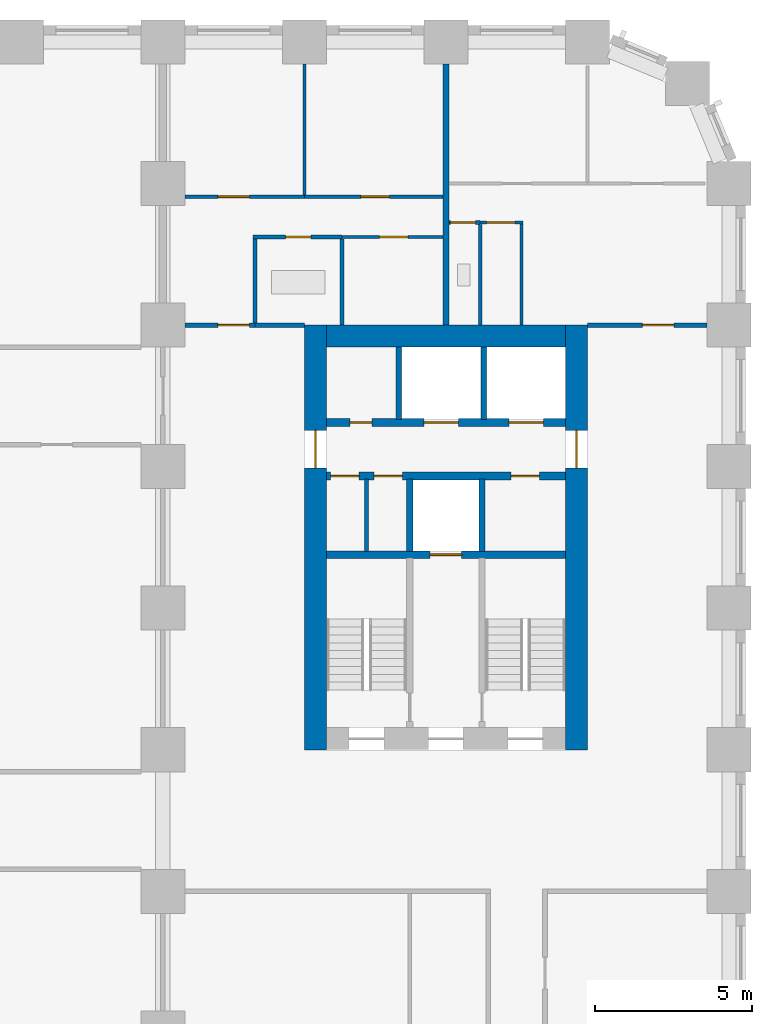
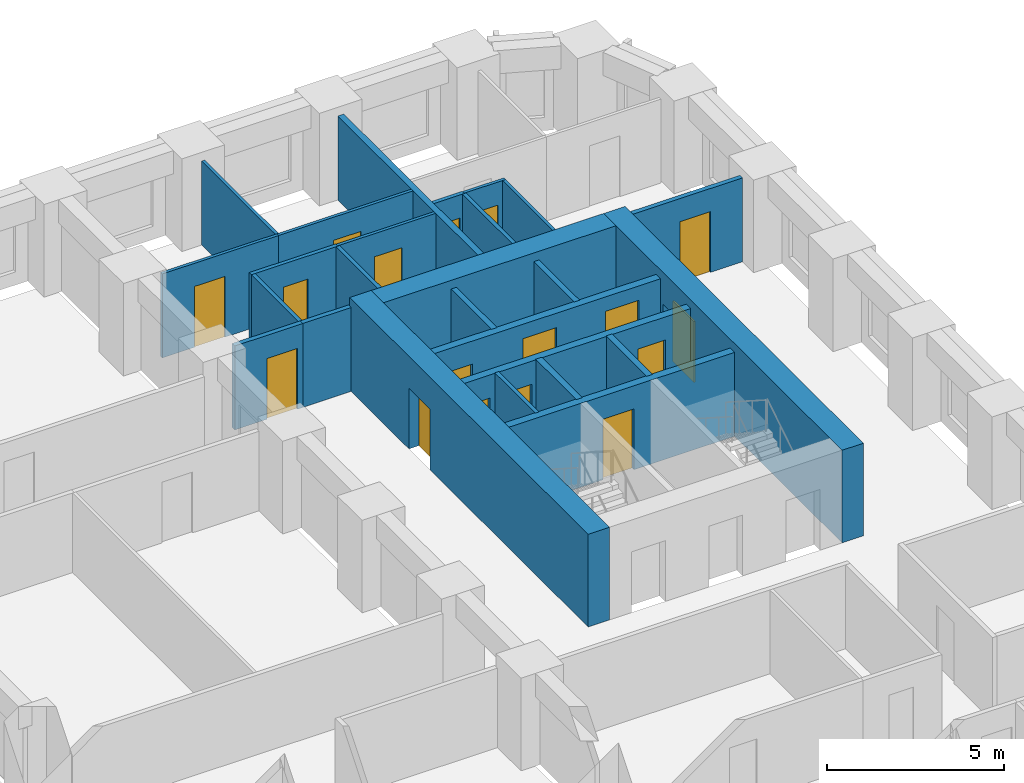
# One storey, part 8 of 12: 26 walls, 17 doors, 17 openings.
"""IFC4 building model written with IfcOpenShell, lengths in metres."""

from ifc_helpers import new_model, si_unit, direction, frame, frame_2d, origin, place, context, subcontext, project, spatial, rectangle, extrude, material, layer, layer_set, type_object, element, fill, save


model = new_model("IFC4")

# Units and contexts
model_context = context("Model", 3, precision=1e-05, world=origin(), true_north=direction((0.0, 1.0)))
body_context = subcontext(model_context, "Body", "Model", "MODEL_VIEW")
ifc_project = project(units=[si_unit("LENGTHUNIT", "METRE"), si_unit("AREAUNIT", "SQUARE_METRE"), si_unit("VOLUMEUNIT", "CUBIC_METRE"), si_unit("PLANEANGLEUNIT", "RADIAN"), si_unit("MASSUNIT", "GRAM", prefix="KILO")], contexts=[model_context])

# Site, building, storey
site_placement = place(None, origin())
site = spatial("IfcSite", under=ifc_project, at=site_placement, CompositionType="ELEMENT")
building_placement = place(site_placement, origin())
building = spatial("IfcBuilding", under=site, at=building_placement, Name="Girih Gate Residences", CompositionType="ELEMENT")
storey_placement = place(building_placement, frame((0.0, 0.0, 36.800048828125)))
storey = spatial("IfcBuildingStorey", under=building, at=storey_placement, Name="L08", CompositionType="ELEMENT", Elevation=36.800048828125)

# Wall, opening, door
ifc_material_1 = material(Name="Gypsum board on steel studs", Category="steel")
ifc_layer_1 = layer(ifc_material_1, 0.14990234375)
ifc_layer_set_1 = layer_set([ifc_layer_1], Name="Compartment wall 150 mm")
wall_type_1 = type_object("IfcWallType", Name="Compartment wall 150 mm", PredefinedType="PARTITIONING", material=ifc_layer_set_1)
wall_1_placement = place(storey_placement, frame((45.0, 40.5, 0.0), z_axis=(0.0, 0.0, 1.0), x_axis=(1.0, 0.0, 0.0)))
wall_1 = element("IfcWall", 1, at=wall_1_placement, inside=storey, type_object=wall_type_1, Name="L08 partition", PredefinedType="PARTITIONING", context=body_context, shape_type="SweptSolid", body=[
    extrude(rectangle(XDim=3.800048828125, YDim=0.14990234375, at=frame_2d((1.89990234375, 0.0))), origin(), (0.0, 0.0, 1.0), 2.89990234375),
])
opening_1_placement = place(wall_1_placement, frame((1.75, 0.0, 0.0)))
opening_1 = element("IfcOpeningElement", 2, at=opening_1_placement, cuts=wall_1, Name="Opening A08-029", PredefinedType="OPENING", context=body_context, shape_type="SweptSolid", body=[
    extrude(rectangle(XDim=1.0, YDim=2.10009765625, at=frame_2d((0.5, 1.050048828125))), frame((0.0, 0.0849609375, 0.0), z_axis=(0.0, -1.0, 0.0), x_axis=(1.0, 0.0, 0.0)), (0.0, 0.0, 1.0), 0.169921875),
])
ifc_material_2 = material(Name="Timber, fire-rated core", Category="wood")
door_type_1 = type_object("IfcDoorType", Name="Flat entrance door 1000x2100 FD30S", OperationType="NOTDEFINED", PredefinedType="DOOR", material=ifc_material_2)
door_1_placement = place(opening_1_placement, origin())
door_1 = element("IfcDoor", 3, at=door_1_placement, inside=storey, type_object=door_type_1, Name="Door A08-029", OperationType="SINGLE_SWING_RIGHT", OverallHeight=2.10009765625, OverallWidth=1.0, PredefinedType="DOOR", context=body_context, shape_type="SweptSolid", body=[
    extrude(rectangle(XDim=1.0, YDim=2.10009765625, at=frame_2d((0.5, 1.050048828125))), frame((0.0, 0.02490234375, 0.0), z_axis=(0.0, -1.0, 0.0), x_axis=(1.0, 0.0, 0.0)), (0.0, 0.0, 1.0), 0.050048828125),
])
fill(opening_1, door_1)

# Wall
wall_2_placement = place(storey_placement, frame((34.425048828125, 40.5, 0.0), z_axis=(0.0, 0.0, 1.0), x_axis=(1.0, 0.0, 0.0)))
element("IfcWall", 4, at=wall_2_placement, inside=storey, type_object=wall_type_1, Name="L08 partition", PredefinedType="PARTITIONING", context=body_context, shape_type="SweptSolid", body=[
    extrude(rectangle(XDim=1.574951171875, YDim=0.14990234375, at=frame_2d((0.78759765625, 0.0))), origin(), (0.0, 0.0, 1.0), 2.89990234375),
])

# Wall, opening, door
wall_3_placement = place(storey_placement, frame((32.199951171875, 40.5, 0.0), z_axis=(0.0, 0.0, 1.0), x_axis=(1.0, 0.0, 0.0)))
wall_3 = element("IfcWall", 5, at=wall_3_placement, inside=storey, type_object=wall_type_1, Name="L08 partition", PredefinedType="PARTITIONING", context=body_context, shape_type="SweptSolid", body=[
    extrude(rectangle(XDim=2.22509765625, YDim=0.14990234375, at=frame_2d((1.112548828125, 0.0))), origin(), (0.0, 0.0, 1.0), 2.89990234375),
])
opening_2_placement = place(wall_3_placement, frame((1.050048828125, 0.0, 0.0)))
opening_2 = element("IfcOpeningElement", 6, at=opening_2_placement, cuts=wall_3, Name="Opening A08-034", PredefinedType="OPENING", context=body_context, shape_type="SweptSolid", body=[
    extrude(rectangle(XDim=1.0, YDim=2.10009765625, at=frame_2d((0.5, 1.050048828125))), frame((0.0, 0.0849609375, 0.0), z_axis=(0.0, -1.0, 0.0), x_axis=(1.0, 0.0, 0.0)), (0.0, 0.0, 1.0), 0.169921875),
])
door_2_placement = place(opening_2_placement, origin())
door_2 = element("IfcDoor", 7, at=door_2_placement, inside=storey, type_object=door_type_1, Name="Door A08-034", OperationType="SINGLE_SWING_RIGHT", OverallHeight=2.10009765625, OverallWidth=1.0, PredefinedType="DOOR", context=body_context, shape_type="SweptSolid", body=[
    extrude(rectangle(XDim=1.0, YDim=2.10009765625, at=frame_2d((0.5, 1.050048828125))), frame((0.0, 0.02490234375, 0.0), z_axis=(0.0, -1.0, 0.0), x_axis=(1.0, 0.0, 0.0)), (0.0, 0.0, 1.0), 0.050048828125),
])
fill(opening_2, door_2)

# Wall
ifc_material_3 = material(Name="Concrete C60/75", Category="concrete")
ifc_layer_2 = layer(ifc_material_3, 0.699951171875)
ifc_layer_set_2 = layer_set([ifc_layer_2], Name="Core wall RC 700 Concrete C60/75")
wall_type_2 = type_object("IfcWallType", Name="Core wall RC 700 Concrete C60/75", PredefinedType="SOLIDWALL", material=ifc_layer_set_2)
wall_4_placement = place(storey_placement, frame((36.699951171875, 40.14990234375, 0.0), z_axis=(0.0, 0.0, 1.0), x_axis=(1.0, 0.0, 0.0)))
element("IfcWall", 8, at=wall_4_placement, inside=storey, type_object=wall_type_2, Name="Core wall E-N L08", PredefinedType="SOLIDWALL", context=body_context, shape_type="SweptSolid", body=[
    extrude(rectangle(XDim=7.60009765625, YDim=0.699951171875, at=frame_2d((3.800048828125, 0.0))), origin(), (0.0, 0.0, 1.0), 3.199951171875),
])

# Wall, opening, door
wall_5_placement = place(storey_placement, frame((36.35009765625, 27.0, 0.0), z_axis=(0.0, 0.0, 1.0), x_axis=(0.0, 1.0, 0.0)))
wall_5 = element("IfcWall", 9, at=wall_5_placement, inside=storey, type_object=wall_type_2, Name="Core wall E-W L08", PredefinedType="SOLIDWALL", context=body_context, shape_type="SweptSolid", body=[
    extrude(rectangle(XDim=13.5, YDim=0.699951171875, at=frame_2d((6.75, 0.0))), origin(), (0.0, 0.0, 1.0), 3.199951171875),
])
opening_3_placement = place(wall_5_placement, frame((8.949951171875, 0.0, 0.0)))
opening_3 = element("IfcOpeningElement", 10, at=opening_3_placement, cuts=wall_5, Name="Opening D-L08-E-013", PredefinedType="OPENING", context=body_context, shape_type="SweptSolid", body=[
    extrude(rectangle(XDim=1.199951171875, YDim=2.10009765625, at=frame_2d((0.60009765625, 1.050048828125))), frame((0.0, 0.35986328125, 0.0), z_axis=(0.0, -1.0, 0.0), x_axis=(1.0, 0.0, 0.0)), (0.0, 0.0, 1.0), 0.719970703125),
])
ifc_material_4 = material(Name="Painted steel, fire-resisting", Category="steel")
door_type_2 = type_object("IfcDoorType", Name="Fire door 1200x2100", OperationType="SINGLE_SWING_LEFT", PredefinedType="DOOR", material=ifc_material_4)
door_3_placement = place(opening_3_placement, origin())
door_3 = element("IfcDoor", 11, at=door_3_placement, inside=storey, type_object=door_type_2, Name="L08 E core door ll-w", OperationType="SINGLE_SWING_LEFT", OverallHeight=2.10009765625, OverallWidth=1.199951171875, PredefinedType="DOOR", context=body_context, shape_type="SweptSolid", body=[
    extrude(rectangle(XDim=1.199951171875, YDim=2.10009765625, at=frame_2d((0.60009765625, 1.050048828125))), frame((0.0, 0.02490234375, 0.0), z_axis=(0.0, -1.0, 0.0), x_axis=(1.0, 0.0, 0.0)), (0.0, 0.0, 1.0), 0.050048828125),
])
fill(opening_3, door_3)

wall_6_placement = place(storey_placement, frame((44.64990234375, 27.0, 0.0), z_axis=(0.0, 0.0, 1.0), x_axis=(0.0, 1.0, 0.0)))
wall_6 = element("IfcWall", 12, at=wall_6_placement, inside=storey, type_object=wall_type_2, Name="Core wall E-E L08", PredefinedType="SOLIDWALL", context=body_context, shape_type="SweptSolid", body=[
    extrude(rectangle(XDim=13.5, YDim=0.699951171875, at=frame_2d((6.75, 0.0))), origin(), (0.0, 0.0, 1.0), 3.199951171875),
])
opening_4_placement = place(wall_6_placement, frame((8.949951171875, 0.0, 0.0)))
opening_4 = element("IfcOpeningElement", 13, at=opening_4_placement, cuts=wall_6, Name="Opening D-L08-E-014", PredefinedType="OPENING", context=body_context, shape_type="SweptSolid", body=[
    extrude(rectangle(XDim=1.199951171875, YDim=2.10009765625, at=frame_2d((0.60009765625, 1.050048828125))), frame((0.0, 0.35986328125, 0.0), z_axis=(0.0, -1.0, 0.0), x_axis=(1.0, 0.0, 0.0)), (0.0, 0.0, 1.0), 0.719970703125),
])
door_4_placement = place(opening_4_placement, origin())
door_4 = element("IfcDoor", 14, at=door_4_placement, inside=storey, type_object=door_type_2, Name="L08 E core door ll-e", OperationType="SINGLE_SWING_LEFT", OverallHeight=2.10009765625, OverallWidth=1.199951171875, PredefinedType="DOOR", context=body_context, shape_type="SweptSolid", body=[
    extrude(rectangle(XDim=1.199951171875, YDim=2.10009765625, at=frame_2d((0.60009765625, 1.050048828125))), frame((0.0, 0.02490234375, 0.0), z_axis=(0.0, -1.0, 0.0), x_axis=(1.0, 0.0, 0.0)), (0.0, 0.0, 1.0), 0.050048828125),
])
fill(opening_4, door_4)

ifc_material_5 = material(Name="Concrete C40/50", Category="concrete")
ifc_layer_3 = layer(ifc_material_5, 0.25)
ifc_layer_set_3 = layer_set([ifc_layer_3], Name="Lift shaft wall 250")
wall_type_3 = type_object("IfcWallType", Name="Lift shaft wall 250", PredefinedType="SOLIDWALL", material=ifc_layer_set_3)
wall_7_placement = place(storey_placement, frame((36.699951171875, 33.199951171875, 0.0), z_axis=(0.0, 0.0, 1.0), x_axis=(1.0, 0.0, 0.0)))
wall_7 = element("IfcWall", 15, at=wall_7_placement, inside=storey, type_object=wall_type_3, Name="L08 E core wall H1", PredefinedType="SOLIDWALL", context=body_context, shape_type="SweptSolid", body=[
    extrude(rectangle(XDim=7.60009765625, YDim=0.25, at=frame_2d((3.800048828125, 0.0))), origin(), (0.0, 0.0, 1.0), 2.89990234375),
])
opening_5_placement = place(wall_7_placement, frame((3.300048828125, 0.0, 0.0)))
opening_5 = element("IfcOpeningElement", 16, at=opening_5_placement, cuts=wall_7, Name="Opening D-L08-E-005", PredefinedType="OPENING", context=body_context, shape_type="SweptSolid", body=[
    extrude(rectangle(XDim=1.0, YDim=2.10009765625, at=frame_2d((0.5, 1.050048828125))), frame((0.0, 0.135009765625, 0.0), z_axis=(0.0, -1.0, 0.0), x_axis=(1.0, 0.0, 0.0)), (0.0, 0.0, 1.0), 0.27001953125),
])
ifc_material_6 = material(Name="Stainless steel, fire-resisting", Category="steel")
door_type_3 = type_object("IfcDoorType", Name="Firefighting lift landing door 1000x2100", OperationType="SLIDING_TO_LEFT", PredefinedType="DOOR", material=ifc_material_6)
door_5_placement = place(opening_5_placement, origin())
door_5 = element("IfcDoor", 17, at=door_5_placement, inside=storey, type_object=door_type_3, Name="L08 lift FF-E landing door", OperationType="SLIDING_TO_LEFT", OverallHeight=2.10009765625, OverallWidth=1.0, PredefinedType="DOOR", context=body_context, shape_type="SweptSolid", body=[
    extrude(rectangle(XDim=1.0, YDim=2.10009765625, at=frame_2d((0.5, 1.050048828125))), frame((0.0, 0.02490234375, 0.0), z_axis=(0.0, -1.0, 0.0), x_axis=(1.0, 0.0, 0.0)), (0.0, 0.0, 1.0), 0.050048828125),
])
fill(opening_5, door_5)

# Wall, openings, doors
wall_8_placement = place(storey_placement, frame((36.699951171875, 35.699951171875, 0.0), z_axis=(0.0, 0.0, 1.0), x_axis=(1.0, 0.0, 0.0)))
wall_8 = element("IfcWall", 18, at=wall_8_placement, inside=storey, type_object=wall_type_3, Name="L08 E core wall H2", PredefinedType="SOLIDWALL", context=body_context, shape_type="SweptSolid", body=[
    extrude(rectangle(XDim=7.60009765625, YDim=0.25, at=frame_2d((3.800048828125, 0.0))), origin(), (0.0, 0.0, 1.0), 2.89990234375),
])
opening_6_placement = place(wall_8_placement, frame((5.875, 0.0, 0.0)))
opening_6 = element("IfcOpeningElement", 19, at=opening_6_placement, cuts=wall_8, Name="Opening D-L08-E-007", PredefinedType="OPENING", context=body_context, shape_type="SweptSolid", body=[
    extrude(rectangle(XDim=0.89990234375, YDim=2.10009765625, at=frame_2d((0.449951171875, 1.050048828125))), frame((0.0, 0.135009765625, 0.0), z_axis=(0.0, -1.0, 0.0), x_axis=(1.0, 0.0, 0.0)), (0.0, 0.0, 1.0), 0.27001953125),
])
opening_7_placement = place(wall_8_placement, frame((1.512451171875, 0.0, 0.0)))
opening_7 = element("IfcOpeningElement", 20, at=opening_7_placement, cuts=wall_8, Name="Opening D-L08-E-008", PredefinedType="OPENING", context=body_context, shape_type="SweptSolid", body=[
    extrude(rectangle(XDim=0.89990234375, YDim=2.10009765625, at=frame_2d((0.449951171875, 1.050048828125))), frame((0.0, 0.135009765625, 0.0), z_axis=(0.0, -1.0, 0.0), x_axis=(1.0, 0.0, 0.0)), (0.0, 0.0, 1.0), 0.27001953125),
])
opening_8_placement = place(wall_8_placement, frame((0.137451171875, 0.0, 0.0)))
opening_8 = element("IfcOpeningElement", 21, at=opening_8_placement, cuts=wall_8, Name="Opening D-L08-E-009", PredefinedType="OPENING", context=body_context, shape_type="SweptSolid", body=[
    extrude(rectangle(XDim=0.89990234375, YDim=2.10009765625, at=frame_2d((0.449951171875, 1.050048828125))), frame((0.0, 0.135009765625, 0.0), z_axis=(0.0, -1.0, 0.0), x_axis=(1.0, 0.0, 0.0)), (0.0, 0.0, 1.0), 0.27001953125),
])
door_type_4 = type_object("IfcDoorType", Name="Fire door 900x2100", OperationType="SINGLE_SWING_LEFT", PredefinedType="DOOR", material=ifc_material_4)
door_6_placement = place(opening_6_placement, origin())
door_6 = element("IfcDoor", 22, at=door_6_placement, inside=storey, type_object=door_type_4, Name="L08 E linen store door", OperationType="SINGLE_SWING_LEFT", OverallHeight=2.10009765625, OverallWidth=0.89990234375, PredefinedType="DOOR", context=body_context, shape_type="SweptSolid", body=[
    extrude(rectangle(XDim=0.89990234375, YDim=2.10009765625, at=frame_2d((0.449951171875, 1.050048828125))), frame((0.0, 0.02490234375, 0.0), z_axis=(0.0, -1.0, 0.0), x_axis=(1.0, 0.0, 0.0)), (0.0, 0.0, 1.0), 0.050048828125),
])
fill(opening_6, door_6)
door_7_placement = place(opening_7_placement, origin())
door_7 = element("IfcDoor", 23, at=door_7_placement, inside=storey, type_object=door_type_4, Name="L08 E housekeeping store door", OperationType="SINGLE_SWING_LEFT", OverallHeight=2.10009765625, OverallWidth=0.89990234375, PredefinedType="DOOR", context=body_context, shape_type="SweptSolid", body=[
    extrude(rectangle(XDim=0.89990234375, YDim=2.10009765625, at=frame_2d((0.449951171875, 1.050048828125))), frame((0.0, 0.02490234375, 0.0), z_axis=(0.0, -1.0, 0.0), x_axis=(1.0, 0.0, 0.0)), (0.0, 0.0, 1.0), 0.050048828125),
])
fill(opening_7, door_7)
door_8_placement = place(opening_8_placement, origin())
door_8 = element("IfcDoor", 24, at=door_8_placement, inside=storey, type_object=door_type_4, Name="L08 E refuse store door", OperationType="SINGLE_SWING_LEFT", OverallHeight=2.10009765625, OverallWidth=0.89990234375, PredefinedType="DOOR", context=body_context, shape_type="SweptSolid", body=[
    extrude(rectangle(XDim=0.89990234375, YDim=2.10009765625, at=frame_2d((0.449951171875, 1.050048828125))), frame((0.0, 0.02490234375, 0.0), z_axis=(0.0, -1.0, 0.0), x_axis=(1.0, 0.0, 0.0)), (0.0, 0.0, 1.0), 0.050048828125),
])
fill(opening_8, door_8)

wall_9_placement = place(storey_placement, frame((36.699951171875, 37.39990234375, 0.0), z_axis=(0.0, 0.0, 1.0), x_axis=(1.0, 0.0, 0.0)))
wall_9 = element("IfcWall", 25, at=wall_9_placement, inside=storey, type_object=wall_type_3, Name="L08 E core wall H3", PredefinedType="SOLIDWALL", context=body_context, shape_type="SweptSolid", body=[
    extrude(rectangle(XDim=7.60009765625, YDim=0.25, at=frame_2d((3.800048828125, 0.0))), origin(), (0.0, 0.0, 1.0), 2.89990234375),
])
opening_9_placement = place(wall_9_placement, frame((5.800048828125, 0.0, 0.0)))
opening_9 = element("IfcOpeningElement", 26, at=opening_9_placement, cuts=wall_9, Name="Opening D-L08-E-003", PredefinedType="OPENING", context=body_context, shape_type="SweptSolid", body=[
    extrude(rectangle(XDim=1.10009765625, YDim=2.39990234375, at=frame_2d((0.550048828125, 1.199951171875))), frame((0.0, 0.135009765625, 0.0), z_axis=(0.0, -1.0, 0.0), x_axis=(1.0, 0.0, 0.0)), (0.0, 0.0, 1.0), 0.27001953125),
])
opening_10_placement = place(wall_9_placement, frame((3.10009765625, 0.0, 0.0)))
opening_10 = element("IfcOpeningElement", 27, at=opening_10_placement, cuts=wall_9, Name="Opening D-L08-E-004", PredefinedType="OPENING", context=body_context, shape_type="SweptSolid", body=[
    extrude(rectangle(XDim=1.10009765625, YDim=2.39990234375, at=frame_2d((0.550048828125, 1.199951171875))), frame((0.0, 0.135009765625, 0.0), z_axis=(0.0, -1.0, 0.0), x_axis=(1.0, 0.0, 0.0)), (0.0, 0.0, 1.0), 0.27001953125),
])
opening_11_placement = place(wall_9_placement, frame((0.75, 0.0, 0.0)))
opening_11 = element("IfcOpeningElement", 28, at=opening_11_placement, cuts=wall_9, Name="Opening D-L08-E-006", PredefinedType="OPENING", context=body_context, shape_type="SweptSolid", body=[
    extrude(rectangle(XDim=0.699951171875, YDim=2.10009765625, at=frame_2d((0.35009765625, 1.050048828125))), frame((0.0, 0.135009765625, 0.0), z_axis=(0.0, -1.0, 0.0), x_axis=(1.0, 0.0, 0.0)), (0.0, 0.0, 1.0), 0.27001953125),
])
ifc_material_7 = material(Name="Stainless steel", Category="steel")
door_type_5 = type_object("IfcDoorType", Name="Lift landing door 1100x2400", OperationType="SLIDING_TO_LEFT", PredefinedType="DOOR", material=ifc_material_7)
door_9_placement = place(opening_9_placement, origin())
door_9 = element("IfcDoor", 29, at=door_9_placement, inside=storey, type_object=door_type_5, Name="L08 lift LR-E1 landing door", OperationType="SLIDING_TO_LEFT", OverallHeight=2.39990234375, OverallWidth=1.10009765625, PredefinedType="DOOR", context=body_context, shape_type="SweptSolid", body=[
    extrude(rectangle(XDim=1.10009765625, YDim=2.39990234375, at=frame_2d((0.550048828125, 1.199951171875))), frame((0.0, 0.02490234375, 0.0), z_axis=(0.0, -1.0, 0.0), x_axis=(1.0, 0.0, 0.0)), (0.0, 0.0, 1.0), 0.050048828125),
])
fill(opening_9, door_9)
door_10_placement = place(opening_10_placement, origin())
door_10 = element("IfcDoor", 30, at=door_10_placement, inside=storey, type_object=door_type_5, Name="L08 lift LR-E2 landing door", OperationType="SLIDING_TO_LEFT", OverallHeight=2.39990234375, OverallWidth=1.10009765625, PredefinedType="DOOR", context=body_context, shape_type="SweptSolid", body=[
    extrude(rectangle(XDim=1.10009765625, YDim=2.39990234375, at=frame_2d((0.550048828125, 1.199951171875))), frame((0.0, 0.02490234375, 0.0), z_axis=(0.0, -1.0, 0.0), x_axis=(1.0, 0.0, 0.0)), (0.0, 0.0, 1.0), 0.050048828125),
])
fill(opening_10, door_10)
door_type_6 = type_object("IfcDoorType", Name="Riser access door 700x2100", OperationType="SINGLE_SWING_LEFT", PredefinedType="DOOR", material=ifc_material_4)
door_11_placement = place(opening_11_placement, origin())
door_11 = element("IfcDoor", 31, at=door_11_placement, inside=storey, type_object=door_type_6, Name="L08 E riser room door", OperationType="SINGLE_SWING_LEFT", OverallHeight=2.10009765625, OverallWidth=0.699951171875, PredefinedType="DOOR", context=body_context, shape_type="SweptSolid", body=[
    extrude(rectangle(XDim=0.699951171875, YDim=2.10009765625, at=frame_2d((0.35009765625, 1.050048828125))), frame((0.0, 0.02490234375, 0.0), z_axis=(0.0, -1.0, 0.0), x_axis=(1.0, 0.0, 0.0)), (0.0, 0.0, 1.0), 0.050048828125),
])
fill(opening_11, door_11)

# Wall
ifc_layer_4 = layer(ifc_material_1, 0.10009765625)
ifc_layer_set_4 = layer_set([ifc_layer_4], Name="Partition 100 mm")
wall_type_4 = type_object("IfcWallType", Name="Partition 100 mm", PredefinedType="PARTITIONING", material=ifc_layer_set_4)
wall_10_placement = place(storey_placement, frame((42.89990234375, 40.5, 0.0), z_axis=(0.0, 0.0, 1.0), x_axis=(0.0, 1.0, 0.0)))
element("IfcWall", 32, at=wall_10_placement, inside=storey, type_object=wall_type_4, Name="L08 partition", PredefinedType="PARTITIONING", context=body_context, shape_type="SweptSolid", body=[
    extrude(rectangle(XDim=3.2099609375, YDim=0.10009765625, at=frame_2d((1.60498046875, 0.0))), origin(), (0.0, 0.0, 1.0), 2.89990234375),
])

# Wall, opening, door
wall_11_placement = place(storey_placement, frame((42.949951171875, 43.760009765625, 0.0), z_axis=(0.0, 0.0, 1.0), x_axis=(-1.0, 0.0, 0.0)))
wall_11 = element("IfcWall", 33, at=wall_11_placement, inside=storey, type_object=wall_type_4, Name="L08 partition", PredefinedType="PARTITIONING", context=body_context, shape_type="SweptSolid", body=[
    extrude(rectangle(XDim=1.359130859375, YDim=0.10009765625, at=frame_2d((0.6796875, 0.0))), origin(), (0.0, 0.0, 1.0), 2.89990234375),
])
opening_12_placement = place(wall_11_placement, frame((0.25439453125, 0.0, 0.0)))
opening_12 = element("IfcOpeningElement", 34, at=opening_12_placement, cuts=wall_11, Name="Opening A08-027", PredefinedType="OPENING", context=body_context, shape_type="SweptSolid", body=[
    extrude(rectangle(XDim=0.89990234375, YDim=2.10009765625, at=frame_2d((0.449951171875, 1.050048828125))), frame((0.0, 0.06005859375, 0.0), z_axis=(0.0, -1.0, 0.0), x_axis=(1.0, 0.0, 0.0)), (0.0, 0.0, 1.0), 0.1201171875),
])
ifc_material_8 = material(Name="Timber", Category="wood")
door_type_7 = type_object("IfcDoorType", Name="Kitchen door 900x2100", OperationType="NOTDEFINED", PredefinedType="DOOR", material=ifc_material_8)
door_12_placement = place(opening_12_placement, origin())
door_12 = element("IfcDoor", 35, at=door_12_placement, inside=storey, type_object=door_type_7, Name="Door A08-027", OperationType="SINGLE_SWING_RIGHT", OverallHeight=2.10009765625, OverallWidth=0.89990234375, PredefinedType="DOOR", context=body_context, shape_type="SweptSolid", body=[
    extrude(rectangle(XDim=0.89990234375, YDim=2.10009765625, at=frame_2d((0.449951171875, 1.050048828125))), frame((0.0, 0.02490234375, 0.0), z_axis=(0.0, -1.0, 0.0), x_axis=(1.0, 0.0, 0.0)), (0.0, 0.0, 1.0), 0.050048828125),
])
fill(opening_12, door_12)

wall_12_placement = place(storey_placement, frame((36.0, 44.580078125, 0.0), z_axis=(0.0, 0.0, 1.0), x_axis=(1.0, 0.0, 0.0)))
wall_12 = element("IfcWall", 36, at=wall_12_placement, inside=storey, type_object=wall_type_4, Name="L08 partition", PredefinedType="PARTITIONING", context=body_context, shape_type="SweptSolid", body=[
    extrude(rectangle(XDim=4.39990234375, YDim=0.10009765625, at=frame_2d((2.199951171875, 0.0))), origin(), (0.0, 0.0, 1.0), 2.89990234375),
])
opening_13_placement = place(wall_12_placement, frame((1.800048828125, 0.0, 0.0)))
opening_13 = element("IfcOpeningElement", 37, at=opening_13_placement, cuts=wall_12, Name="Opening A08-031", PredefinedType="OPENING", context=body_context, shape_type="SweptSolid", body=[
    extrude(rectangle(XDim=0.89990234375, YDim=2.10009765625, at=frame_2d((0.449951171875, 1.050048828125))), frame((0.0, 0.06005859375, 0.0), z_axis=(0.0, -1.0, 0.0), x_axis=(1.0, 0.0, 0.0)), (0.0, 0.0, 1.0), 0.1201171875),
])
door_type_8 = type_object("IfcDoorType", Name="Bedroom door 900x2100", OperationType="NOTDEFINED", PredefinedType="DOOR", material=ifc_material_8)
door_13_placement = place(opening_13_placement, origin())
door_13 = element("IfcDoor", 38, at=door_13_placement, inside=storey, type_object=door_type_8, Name="Door A08-031", OperationType="SINGLE_SWING_RIGHT", OverallHeight=2.10009765625, OverallWidth=0.89990234375, PredefinedType="DOOR", context=body_context, shape_type="SweptSolid", body=[
    extrude(rectangle(XDim=0.89990234375, YDim=2.10009765625, at=frame_2d((0.449951171875, 1.050048828125))), frame((0.0, 0.02490234375, 0.0), z_axis=(0.0, -1.0, 0.0), x_axis=(1.0, 0.0, 0.0)), (0.0, 0.0, 1.0), 0.050048828125),
])
fill(opening_13, door_13)

# Wall
wall_13_placement = place(storey_placement, frame((36.0, 44.6298828125, 0.0), z_axis=(0.0, 0.0, 1.0), x_axis=(0.0, 1.0, 0.0)))
element("IfcWall", 39, at=wall_13_placement, inside=storey, type_object=wall_type_4, Name="L08 partition", PredefinedType="PARTITIONING", context=body_context, shape_type="SweptSolid", body=[
    extrude(rectangle(XDim=4.170166015625, YDim=0.10009765625, at=frame_2d((2.0849609375, 0.0))), origin(), (0.0, 0.0, 1.0), 2.89990234375),
])

# Wall, opening, door
wall_14_placement = place(storey_placement, frame((40.39990234375, 43.300048828125, 0.0), z_axis=(0.0, 0.0, 1.0), x_axis=(-1.0, 0.0, 0.0)))
wall_14 = element("IfcWall", 40, at=wall_14_placement, inside=storey, type_object=wall_type_4, Name="L08 partition", PredefinedType="PARTITIONING", context=body_context, shape_type="SweptSolid", body=[
    extrude(rectangle(XDim=3.20947265625, YDim=0.10009765625, at=frame_2d((1.604736328125, 0.0))), origin(), (0.0, 0.0, 1.0), 2.89990234375),
])
opening_14_placement = place(wall_14_placement, frame((1.104736328125, 0.0, 0.0)))
opening_14 = element("IfcOpeningElement", 41, at=opening_14_placement, cuts=wall_14, Name="Opening A08-032", PredefinedType="OPENING", context=body_context, shape_type="SweptSolid", body=[
    extrude(rectangle(XDim=0.89990234375, YDim=2.10009765625, at=frame_2d((0.449951171875, 1.050048828125))), frame((0.0, 0.06005859375, 0.0), z_axis=(0.0, -1.0, 0.0), x_axis=(1.0, 0.0, 0.0)), (0.0, 0.0, 1.0), 0.1201171875),
])
door_14_placement = place(opening_14_placement, origin())
door_14 = element("IfcDoor", 42, at=door_14_placement, inside=storey, type_object=door_type_7, Name="Door A08-032", OperationType="SINGLE_SWING_LEFT", OverallHeight=2.10009765625, OverallWidth=0.89990234375, PredefinedType="DOOR", context=body_context, shape_type="SweptSolid", body=[
    extrude(rectangle(XDim=0.89990234375, YDim=2.10009765625, at=frame_2d((0.449951171875, 1.050048828125))), frame((0.0, 0.02490234375, 0.0), z_axis=(0.0, -1.0, 0.0), x_axis=(1.0, 0.0, 0.0)), (0.0, 0.0, 1.0), 0.050048828125),
])
fill(opening_14, door_14)

wall_15_placement = place(storey_placement, frame((32.199951171875, 44.580078125, 0.0), z_axis=(0.0, 0.0, 1.0), x_axis=(1.0, 0.0, 0.0)))
wall_15 = element("IfcWall", 43, at=wall_15_placement, inside=storey, type_object=wall_type_4, Name="L08 partition", PredefinedType="PARTITIONING", context=body_context, shape_type="SweptSolid", body=[
    extrude(rectangle(XDim=3.800048828125, YDim=0.10009765625, at=frame_2d((1.89990234375, 0.0))), origin(), (0.0, 0.0, 1.0), 2.89990234375),
])
opening_15_placement = place(wall_15_placement, frame((1.050048828125, 0.0, 0.0)))
opening_15 = element("IfcOpeningElement", 44, at=opening_15_placement, cuts=wall_15, Name="Opening A08-033", PredefinedType="OPENING", context=body_context, shape_type="SweptSolid", body=[
    extrude(rectangle(XDim=1.0, YDim=2.10009765625, at=frame_2d((0.5, 1.050048828125))), frame((0.0, 0.06005859375, 0.0), z_axis=(0.0, -1.0, 0.0), x_axis=(1.0, 0.0, 0.0)), (0.0, 0.0, 1.0), 0.1201171875),
])
door_type_9 = type_object("IfcDoorType", Name="Living room door 1000x2100", OperationType="NOTDEFINED", PredefinedType="DOOR", material=ifc_material_8)
door_15_placement = place(opening_15_placement, origin())
door_15 = element("IfcDoor", 45, at=door_15_placement, inside=storey, type_object=door_type_9, Name="Door A08-033", OperationType="SINGLE_SWING_LEFT", OverallHeight=2.10009765625, OverallWidth=1.0, PredefinedType="DOOR", context=body_context, shape_type="SweptSolid", body=[
    extrude(rectangle(XDim=1.0, YDim=2.10009765625, at=frame_2d((0.5, 1.050048828125))), frame((0.0, 0.02490234375, 0.0), z_axis=(0.0, -1.0, 0.0), x_axis=(1.0, 0.0, 0.0)), (0.0, 0.0, 1.0), 0.050048828125),
])
fill(opening_15, door_15)

# Walls
ifc_layer_5 = layer(ifc_material_1, 0.199951171875)
ifc_layer_set_5 = layer_set([ifc_layer_5], Name="Party wall 200 mm")
wall_type_5 = type_object("IfcWallType", Name="Party wall 200 mm", PredefinedType="PARTITIONING", material=ifc_layer_set_5)
wall_16_placement = place(storey_placement, frame((40.5, 40.5, 0.0), z_axis=(0.0, 0.0, 1.0), x_axis=(0.0, 1.0, 0.0)))
element("IfcWall", 46, at=wall_16_placement, inside=storey, type_object=wall_type_5, Name="L08 partition", PredefinedType="PARTITIONING", context=body_context, shape_type="SweptSolid", body=[
    extrude(rectangle(XDim=8.300048828125, YDim=0.199951171875, at=frame_2d((4.14990234375, 0.0))), origin(), (0.0, 0.0, 1.0), 2.89990234375),
])
ifc_layer_6 = layer(ifc_material_5, 0.175048828125)
ifc_layer_set_6 = layer_set([ifc_layer_6], Name="Riser shaft wall 175")
wall_type_6 = type_object("IfcWallType", Name="Riser shaft wall 175", PredefinedType="SOLIDWALL", material=ifc_layer_set_6)
for number, where, z_axis, x_axis, name in (
    (47, (41.699951171875, 37.5, 0.0), (0.0, 0.0, 1.0), (0.0, 1.0, 0.0), "L08 E core wall V1c"),
    (48, (39.0, 37.5, 0.0), (0.0, 0.0, 1.0), (0.0, 1.0, 0.0), "L08 E core wall V2c"),
):
    element("IfcWall", number, at=place(storey_placement, frame(where, z_axis=z_axis, x_axis=x_axis)), inside=storey, type_object=wall_type_6, Name=name, PredefinedType="SOLIDWALL", context=body_context, shape_type="SweptSolid", body=[
        extrude(rectangle(XDim=2.300048828125, YDim=0.175048828125, at=frame_2d((1.14990234375, 0.0))), origin(), (0.0, 0.0, 1.0), 2.89990234375),
    ])
ifc_layer_7 = layer(ifc_material_5, 0.199951171875)
ifc_layer_set_7 = layer_set([ifc_layer_7], Name="Shaft wall 200")
wall_type_7 = type_object("IfcWallType", Name="Shaft wall 200", PredefinedType="SOLIDWALL", material=ifc_layer_set_7)
for number, where, z_axis, x_axis, name in (
    (49, (41.64990234375, 33.300048828125, 0.0), (0.0, 0.0, 1.0), (0.0, 1.0, 0.0), "L08 E core wall V1b"),
    (50, (39.35009765625, 33.300048828125, 0.0), (0.0, 0.0, 1.0), (0.0, 1.0, 0.0), "L08 E core wall V2b"),
):
    element("IfcWall", number, at=place(storey_placement, frame(where, z_axis=z_axis, x_axis=x_axis)), inside=storey, type_object=wall_type_7, Name=name, PredefinedType="SOLIDWALL", context=body_context, shape_type="SweptSolid", body=[
        extrude(rectangle(XDim=2.300048828125, YDim=0.199951171875, at=frame_2d((1.14990234375, 0.0))), origin(), (0.0, 0.0, 1.0), 2.89990234375),
    ])
ifc_material_9 = material(Name="Calcium silicate blockwork", Category="masonry")
ifc_layer_8 = layer(ifc_material_9, 0.125)
ifc_layer_set_8 = layer_set([ifc_layer_8], Name="Store partition 125")
wall_type_8 = type_object("IfcWallType", Name="Store partition 125", PredefinedType="PARTITIONING", material=ifc_layer_set_8)
wall_17_placement = place(storey_placement, frame((37.97509765625, 33.300048828125, 0.0), z_axis=(0.0, 0.0, 1.0), x_axis=(0.0, 1.0, 0.0)))
element("IfcWall", 51, at=wall_17_placement, inside=storey, type_object=wall_type_8, Name="L08 E core wall SHR2", PredefinedType="PARTITIONING", context=body_context, shape_type="SweptSolid", body=[
    extrude(rectangle(XDim=2.300048828125, YDim=0.125, at=frame_2d((1.14990234375, 0.0))), origin(), (0.0, 0.0, 1.0), 2.89990234375),
])

# Wall, opening, door
ifc_layer_9 = layer(ifc_material_1, 0.125)
ifc_layer_set_9 = layer_set([ifc_layer_9], Name="Wet room wall 125 mm")
wall_type_9 = type_object("IfcWallType", Name="Wet room wall 125 mm", PredefinedType="PARTITIONING", material=ifc_layer_set_9)
wall_18_placement = place(storey_placement, frame((41.5908203125, 43.760009765625, 0.0), z_axis=(0.0, 0.0, 1.0), x_axis=(-1.0, 0.0, 0.0)))
wall_18 = element("IfcWall", 52, at=wall_18_placement, inside=storey, type_object=wall_type_9, Name="L08 partition", PredefinedType="PARTITIONING", context=body_context, shape_type="SweptSolid", body=[
    extrude(rectangle(XDim=0.99072265625, YDim=0.125, at=frame_2d((0.495361328125, 0.0))), origin(), (0.0, 0.0, 1.0), 2.89990234375),
])
opening_16_placement = place(wall_18_placement, frame((0.1455078125, 0.0, 0.0)))
opening_16 = element("IfcOpeningElement", 53, at=opening_16_placement, cuts=wall_18, Name="Opening A08-025", PredefinedType="OPENING", context=body_context, shape_type="SweptSolid", body=[
    extrude(rectangle(XDim=0.800048828125, YDim=2.10009765625, at=frame_2d((0.39990234375, 1.050048828125))), frame((0.0, 0.072509765625, 0.0), z_axis=(0.0, -1.0, 0.0), x_axis=(1.0, 0.0, 0.0)), (0.0, 0.0, 1.0), 0.14501953125),
])
door_type_10 = type_object("IfcDoorType", Name="Bathroom door 800x2100", OperationType="NOTDEFINED", PredefinedType="DOOR", material=ifc_material_8)
door_16_placement = place(opening_16_placement, origin())
door_16 = element("IfcDoor", 54, at=door_16_placement, inside=storey, type_object=door_type_10, Name="Door A08-025", OperationType="SINGLE_SWING_RIGHT", OverallHeight=2.10009765625, OverallWidth=0.800048828125, PredefinedType="DOOR", context=body_context, shape_type="SweptSolid", body=[
    extrude(rectangle(XDim=0.800048828125, YDim=2.10009765625, at=frame_2d((0.39990234375, 1.050048828125))), frame((0.0, 0.02490234375, 0.0), z_axis=(0.0, -1.0, 0.0), x_axis=(1.0, 0.0, 0.0)), (0.0, 0.0, 1.0), 0.050048828125),
])
fill(opening_16, door_16)

# Walls
wall_19_placement = place(storey_placement, frame((41.591064453125, 40.5, 0.0), z_axis=(0.0, 0.0, 1.0), x_axis=(0.0, 1.0, 0.0)))
element("IfcWall", 55, at=wall_19_placement, inside=storey, type_object=wall_type_9, Name="L08 partition", PredefinedType="PARTITIONING", context=body_context, shape_type="SweptSolid", body=[
    extrude(rectangle(XDim=3.197509765625, YDim=0.125, at=frame_2d((1.5986328125, 0.0))), origin(), (0.0, 0.0, 1.0), 2.89990234375),
])
wall_20_placement = place(storey_placement, frame((34.425048828125, 40.574951171875, 0.0), z_axis=(0.0, 0.0, 1.0), x_axis=(0.0, 1.0, 0.0)))
element("IfcWall", 56, at=wall_20_placement, inside=storey, type_object=wall_type_9, Name="L08 partition", PredefinedType="PARTITIONING", context=body_context, shape_type="SweptSolid", body=[
    extrude(rectangle(XDim=2.66259765625, YDim=0.125, at=frame_2d((1.331298828125, 0.0))), origin(), (0.0, 0.0, 1.0), 2.89990234375),
])

# Wall, opening, door
wall_21_placement = place(storey_placement, frame((37.1904296875, 43.300048828125, 0.0), z_axis=(0.0, 0.0, 1.0), x_axis=(-1.0, 0.0, 0.0)))
wall_21 = element("IfcWall", 57, at=wall_21_placement, inside=storey, type_object=wall_type_9, Name="L08 partition", PredefinedType="PARTITIONING", context=body_context, shape_type="SweptSolid", body=[
    extrude(rectangle(XDim=2.827880859375, YDim=0.125, at=frame_2d((1.4140625, 0.0))), origin(), (0.0, 0.0, 1.0), 2.89990234375),
])
opening_17_placement = place(wall_21_placement, frame((0.98291015625, 0.0, 0.0)))
opening_17 = element("IfcOpeningElement", 58, at=opening_17_placement, cuts=wall_21, Name="Opening A08-030", PredefinedType="OPENING", context=body_context, shape_type="SweptSolid", body=[
    extrude(rectangle(XDim=0.800048828125, YDim=2.10009765625, at=frame_2d((0.39990234375, 1.050048828125))), frame((0.0, 0.072509765625, 0.0), z_axis=(0.0, -1.0, 0.0), x_axis=(1.0, 0.0, 0.0)), (0.0, 0.0, 1.0), 0.14501953125),
])
door_17_placement = place(opening_17_placement, origin())
door_17 = element("IfcDoor", 59, at=door_17_placement, inside=storey, type_object=door_type_10, Name="Door A08-030", OperationType="SINGLE_SWING_LEFT", OverallHeight=2.10009765625, OverallWidth=0.800048828125, PredefinedType="DOOR", context=body_context, shape_type="SweptSolid", body=[
    extrude(rectangle(XDim=0.800048828125, YDim=2.10009765625, at=frame_2d((0.39990234375, 1.050048828125))), frame((0.0, 0.02490234375, 0.0), z_axis=(0.0, -1.0, 0.0), x_axis=(1.0, 0.0, 0.0)), (0.0, 0.0, 1.0), 0.050048828125),
])
fill(opening_17, door_17)

# Wall
wall_22_placement = place(storey_placement, frame((37.19091796875, 40.5, 0.0), z_axis=(0.0, 0.0, 1.0), x_axis=(0.0, 1.0, 0.0)))
element("IfcWall", 60, at=wall_22_placement, inside=storey, type_object=wall_type_9, Name="L08 partition", PredefinedType="PARTITIONING", context=body_context, shape_type="SweptSolid", body=[
    extrude(rectangle(XDim=2.737548828125, YDim=0.125, at=frame_2d((1.36865234375, 0.0))), origin(), (0.0, 0.0, 1.0), 2.89990234375),
])

save(model, "model.ifc")
